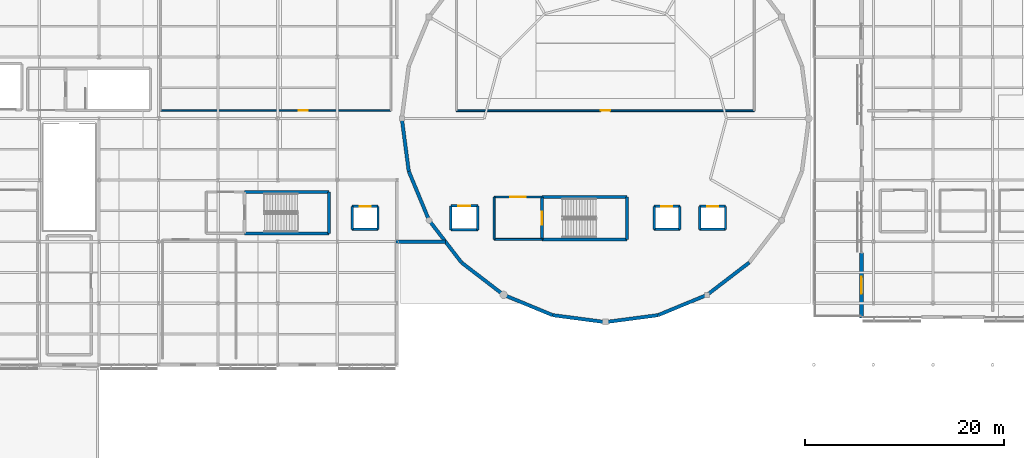
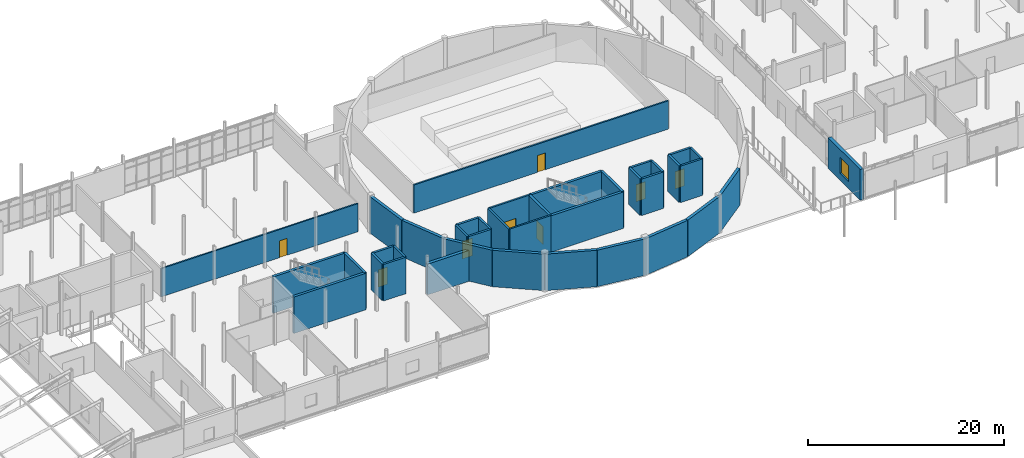
# One storey, part 58 of 84: 39 walls, 8 doors, 1 window, 9 openings.
"""IFC4 building model written with IfcOpenShell, lengths in metres."""

from ifc_helpers import new_model, si_unit, direction, frame, frame_2d, origin, place, context, subcontext, project, spatial, rectangle, extrude, material, layer, layer_set, type_object, element, fill, save


model = new_model("IFC4")

# Units and contexts
model_context = context("Model", 3, precision=1e-05, world=origin(), true_north=direction((0.0, 1.0)))
body_context = subcontext(model_context, "Body", "Model", "MODEL_VIEW")
ifc_project = project(units=[si_unit("LENGTHUNIT", "METRE"), si_unit("AREAUNIT", "SQUARE_METRE"), si_unit("VOLUMEUNIT", "CUBIC_METRE"), si_unit("PLANEANGLEUNIT", "RADIAN"), si_unit("MASSUNIT", "GRAM", prefix="KILO")], contexts=[model_context])

# Site, building, storey
site_placement = place(None, origin())
site = spatial("IfcSite", under=ifc_project, at=site_placement, CompositionType="ELEMENT")
building_placement = place(site_placement, origin())
building = spatial("IfcBuilding", under=site, at=building_placement, Name="Mirzam Square Science Centre", CompositionType="ELEMENT")
storey_placement = place(building_placement, frame((0.0, 0.0, 10.800048828125)))
storey = spatial("IfcBuildingStorey", under=building, at=storey_placement, Name="L02", CompositionType="ELEMENT", Elevation=10.800048828125)

# Walls
ifc_material_1 = material(Name="Concrete C45/55", Category="concrete")
ifc_layer_1 = layer(ifc_material_1, 0.300048828125)
ifc_layer_set_1 = layer_set([ifc_layer_1], Name="W-CORE-300")
wall_type_1 = type_object("IfcWallType", Name="W-CORE-300", PredefinedType="SHEAR", material=ifc_layer_set_1)
for number, where, z_axis, x_axis, name in (
    (1, (44.639892578125, 50.43994140625, 0.0), (0.0, 0.0, 1.0), (1.0, 0.0, 0.0), "L02 CORE-1 south wall"),
    (2, (53.159912109375, 54.610107421875, 0.0), (0.0, 0.0, 1.0), (-1.0, 0.0, 0.0), "L02 CORE-1 north wall"),
):
    element("IfcWall", number, at=place(storey_placement, frame(where, z_axis=z_axis, x_axis=x_axis)), inside=storey, type_object=wall_type_1, Name=name, PredefinedType="SHEAR", context=body_context, shape_type="SweptSolid", body=[
        extrude(rectangle(XDim=8.52001953125, YDim=0.300048828125, at=frame_2d((4.260009765625, 0.0))), origin(), (0.0, 0.0, 1.0), 4.550048828125),
    ])
wall_1_placement = place(storey_placement, frame((53.159912109375, 50.43994140625, 0.0), z_axis=(0.0, 0.0, 1.0), x_axis=(0.0, 1.0, 0.0)))
element("IfcWall", 3, at=wall_1_placement, inside=storey, type_object=wall_type_1, Name="L02 CORE-1 east wall", PredefinedType="SHEAR", context=body_context, shape_type="SweptSolid", body=[
    extrude(rectangle(XDim=4.170166015625, YDim=0.300048828125, at=frame_2d((2.0849609375, 0.0))), origin(), (0.0, 0.0, 1.0), 4.550048828125),
])
for number, where, z_axis, x_axis, name in (
    (4, (74.639892578125, 49.840087890625, 0.0), (0.0, 0.0, 1.0), (1.0, 0.0, 0.0), "L02 CORE-3 south wall"),
    (5, (83.159912109375, 54.090087890625, 0.0), (0.0, 0.0, 1.0), (-1.0, 0.0, 0.0), "L02 CORE-3 north wall"),
):
    element("IfcWall", number, at=place(storey_placement, frame(where, z_axis=z_axis, x_axis=x_axis)), inside=storey, type_object=wall_type_1, Name=name, PredefinedType="SHEAR", context=body_context, shape_type="SweptSolid", body=[
        extrude(rectangle(XDim=8.52001953125, YDim=0.300048828125, at=frame_2d((4.260009765625, 0.0))), origin(), (0.0, 0.0, 1.0), 4.550048828125),
    ])

# Wall, opening, door
wall_2_placement = place(storey_placement, frame((74.639892578125, 54.090087890625, 0.0), z_axis=(0.0, 0.0, 1.0), x_axis=(0.0, -1.0, 0.0)))
wall_2 = element("IfcWall", 6, at=wall_2_placement, inside=storey, type_object=wall_type_1, Name="L02 CORE-3 west wall", PredefinedType="SHEAR", context=body_context, shape_type="SweptSolid", body=[
    extrude(rectangle(XDim=4.25, YDim=0.300048828125, at=frame_2d((2.125, 0.0))), origin(), (0.0, 0.0, 1.0), 4.550048828125),
])
opening_1_placement = place(wall_2_placement, frame((1.449951171875, 0.0, 0.0)))
opening_1 = element("IfcOpeningElement", 7, at=opening_1_placement, cuts=wall_2, Name="Opening DS-01", PredefinedType="OPENING", context=body_context, shape_type="SweptSolid", body=[
    extrude(rectangle(XDim=1.35009765625, YDim=2.199951171875, at=frame_2d((0.675048828125, 1.10009765625))), frame((0.0, 0.159912109375, 0.0), z_axis=(0.0, -1.0, 0.0), x_axis=(1.0, 0.0, 0.0)), (0.0, 0.0, 1.0), 0.320068359375),
])
ifc_material_2 = material(Name="Fire-Rated Powder-Coated Architectural Steel Door", Category="steel")
door_type_1 = type_object("IfcDoorType", Name="DR-STAIR-1350x2200", OperationType="NOTDEFINED", PredefinedType="DOOR", material=ifc_material_2)
door_1_placement = place(opening_1_placement, origin())
door_1 = element("IfcDoor", 8, at=door_1_placement, inside=storey, type_object=door_type_1, Name="DRS-3-L02", OperationType="SINGLE_SWING_RIGHT", OverallHeight=2.199951171875, OverallWidth=1.35009765625, PredefinedType="DOOR", context=body_context, shape_type="SweptSolid", body=[
    extrude(rectangle(XDim=1.35009765625, YDim=2.199951171875, at=frame_2d((0.675048828125, 1.10009765625))), frame((0.0, 0.02490234375, 0.0), z_axis=(0.0, -1.0, 0.0), x_axis=(1.0, 0.0, 0.0)), (0.0, 0.0, 1.0), 0.050048828125),
])
fill(opening_1, door_1)

# Walls
wall_3_placement = place(storey_placement, frame((83.159912109375, 49.840087890625, 0.0), z_axis=(0.0, 0.0, 1.0), x_axis=(0.0, 1.0, 0.0)))
element("IfcWall", 9, at=wall_3_placement, inside=storey, type_object=wall_type_1, Name="L02 CORE-3 east wall", PredefinedType="SHEAR", context=body_context, shape_type="SweptSolid", body=[
    extrude(rectangle(XDim=4.25, YDim=0.300048828125, at=frame_2d((2.125, 0.0))), origin(), (0.0, 0.0, 1.0), 4.550048828125),
])
ifc_layer_2 = layer(ifc_material_1, 0.35009765625)
ifc_layer_set_2 = layer_set([ifc_layer_2], Name="W-DRUM-350")
wall_type_2 = type_object("IfcWallType", Name="W-DRUM-350", PredefinedType="SHEAR", material=ifc_layer_set_2)
wall_4_placement = place(storey_placement, frame((60.5, 62.0, 0.0), z_axis=(0.0, 0.0, 1.0), x_axis=(0.130517056518, -0.991446064069, 0.0)))
element("IfcWall", 10, at=wall_4_placement, inside=storey, type_object=wall_type_2, Name="L02 planetarium drum wall 13", PredefinedType="SHEAR", context=body_context, shape_type="SweptSolid", body=[
    extrude(rectangle(XDim=5.351806640625, YDim=0.35009765625, at=frame_2d((2.67578125, 0.0))), origin(), (0.0, 0.0, 1.0), 4.550048828125),
])
for number, where, z_axis, x_axis, name in (
    (11, (61.198486328125, 56.694091796875, 0.0), (0.0, 0.0, 1.0), (0.382713071139, -0.923867255172, 0.0), "L02 planetarium drum wall 14"),
    (12, (63.24658203125, 51.75, 0.0), (0.0, 0.0, 1.0), (0.60876670321, -0.793349293227, 0.0), "L02 planetarium drum wall 15"),
    (13, (66.50439453125, 47.50439453125, 0.0), (0.0, 0.0, 1.0), (0.793349293227, -0.60876670321, 0.0), "L02 planetarium drum wall 16"),
    (14, (70.75, 44.24658203125, 0.0), (0.0, 0.0, 1.0), (0.923867255172, -0.382713071139, 0.0), "L02 planetarium drum wall 17"),
):
    element("IfcWall", number, at=place(storey_placement, frame(where, z_axis=z_axis, x_axis=x_axis)), inside=storey, type_object=wall_type_2, Name=name, PredefinedType="SHEAR", context=body_context, shape_type="SweptSolid", body=[
        extrude(rectangle(XDim=5.3515625, YDim=0.35009765625, at=frame_2d((2.67578125, 0.0))), origin(), (0.0, 0.0, 1.0), 4.550048828125),
    ])
for number, where, z_axis, x_axis, name in (
    (15, (75.694091796875, 42.198486328125, 0.0), (0.0, 0.0, 1.0), (0.991446064069, -0.130517056518, 0.0), "L02 planetarium drum wall 18"),
    (16, (81.0, 41.5, 0.0), (0.0, 0.0, 1.0), (0.991446064069, 0.130517056518, 0.0), "L02 planetarium drum wall 19"),
):
    element("IfcWall", number, at=place(storey_placement, frame(where, z_axis=z_axis, x_axis=x_axis)), inside=storey, type_object=wall_type_2, Name=name, PredefinedType="SHEAR", context=body_context, shape_type="SweptSolid", body=[
        extrude(rectangle(XDim=5.351806640625, YDim=0.35009765625, at=frame_2d((2.67578125, 0.0))), origin(), (0.0, 0.0, 1.0), 4.550048828125),
    ])
for number, where, z_axis, x_axis, name in (
    (17, (86.305908203125, 42.198486328125, 0.0), (0.0, 0.0, 1.0), (0.923867255172, 0.382713071139, 0.0), "L02 planetarium drum wall 20"),
    (18, (91.25, 44.24658203125, 0.0), (0.0, 0.0, 1.0), (0.793349293227, 0.60876670321, 0.0), "L02 planetarium drum wall 21"),
):
    element("IfcWall", number, at=place(storey_placement, frame(where, z_axis=z_axis, x_axis=x_axis)), inside=storey, type_object=wall_type_2, Name=name, PredefinedType="SHEAR", context=body_context, shape_type="SweptSolid", body=[
        extrude(rectangle(XDim=5.3515625, YDim=0.35009765625, at=frame_2d((2.67578125, 0.0))), origin(), (0.0, 0.0, 1.0), 4.550048828125),
    ])

# Wall, opening, window
ifc_material_3 = material(Name="Insulated Sand-Toned GFRC Concrete C40/50", Category="concrete")
ifc_layer_3 = layer(ifc_material_3, 0.385009765625)
ifc_layer_set_3 = layer_set([ifc_layer_3], Name="W-EXT-GFRC-385")
wall_type_3 = type_object("IfcWallType", Name="W-EXT-GFRC-385", PredefinedType="SOLIDWALL", material=ifc_layer_set_3)
wall_5_placement = place(storey_placement, frame((106.800048828125, 48.47509765625, 0.0), z_axis=(0.0, 0.0, 1.0), x_axis=(0.0, -1.0, 0.0)))
wall_5 = element("IfcWall", 19, at=wall_5_placement, inside=storey, type_object=wall_type_3, Name="L02 external wall EW-EST-W-L02-07", PredefinedType="SOLIDWALL", context=body_context, shape_type="SweptSolid", body=[
    extrude(rectangle(XDim=6.550048828125, YDim=0.385009765625, at=frame_2d((3.27490234375, 0.0))), origin(), (0.0, 0.0, 1.0), 3.83984375),
])
opening_2_placement = place(wall_5_placement, frame((2.425048828125, 0.0, 0.89990234375)))
opening_2 = element("IfcOpeningElement", 20, at=opening_2_placement, cuts=wall_5, Name="Opening W-38", PredefinedType="OPENING", context=body_context, shape_type="SweptSolid", body=[
    extrude(rectangle(XDim=1.699951171875, YDim=1.949951171875, at=frame_2d((0.85009765625, 0.97509765625))), frame((0.0, 0.202392578125, 0.0), z_axis=(0.0, -1.0, 0.0), x_axis=(1.0, 0.0, 0.0)), (0.0, 0.0, 1.0), 0.405029296875),
])
ifc_material_4 = material(Name="Thermally Broken Bronze Aluminium and Low-E Glass", Category="aluminium")
window_type = type_object("IfcWindowType", Name="WIN-1700x1950", PartitioningType="SINGLE_PANEL", PredefinedType="WINDOW", material=ifc_material_4)
window_placement = place(opening_2_placement, origin())
window = element("IfcWindow", 21, at=window_placement, inside=storey, type_object=window_type, Name="L02 solar window 082", OverallHeight=1.949951171875, OverallWidth=1.699951171875, PartitioningType="SINGLE_PANEL", PredefinedType="WINDOW", context=body_context, shape_type="SweptSolid", body=[
    extrude(rectangle(XDim=1.699951171875, YDim=1.949951171875, at=frame_2d((0.85009765625, 0.97509765625))), frame((0.0, 0.030029296875, 0.0), z_axis=(0.0, -1.0, 0.0), x_axis=(1.0, 0.0, 0.0)), (0.0, 0.0, 1.0), 0.06005859375),
])
fill(opening_2, window)

# Walls
ifc_material_5 = material(Name="Standing-Seam Zinc-Clad Concrete Backup C40/50", Category="concrete")
ifc_layer_4 = layer(ifc_material_5, 0.35009765625)
ifc_layer_set_4 = layer_set([ifc_layer_4], Name="W-EXT-METAL-350")
wall_type_4 = type_object("IfcWallType", Name="W-EXT-METAL-350", PredefinedType="SOLIDWALL", material=ifc_layer_set_4)
wall_6_placement = place(storey_placement, frame((59.925048828125, 49.60009765625, 0.0), z_axis=(0.0, 0.0, 1.0), x_axis=(1.0, 0.0, 0.0)))
element("IfcWall", 22, at=wall_6_placement, inside=storey, type_object=wall_type_4, Name="L02 external wall EW-WDG-E-S2-L02", PredefinedType="SOLIDWALL", context=body_context, shape_type="SweptSolid", body=[
    extrude(rectangle(XDim=4.949951171875, YDim=0.35009765625, at=frame_2d((2.47509765625, 0.0))), origin(), (0.0, 0.0, 1.0), 3.83984375),
])
ifc_layer_5 = layer(ifc_material_1, 0.199951171875)
ifc_layer_set_5 = layer_set([ifc_layer_5], Name="W-LOBBY-200")
wall_type_5 = type_object("IfcWallType", Name="W-LOBBY-200", PredefinedType="SHEAR", material=ifc_layer_set_5)
wall_7_placement = place(storey_placement, frame((69.800048828125, 49.840087890625, 0.0), z_axis=(0.0, 0.0, 1.0), x_axis=(1.0, 0.0, 0.0)))
element("IfcWall", 23, at=wall_7_placement, inside=storey, type_object=wall_type_5, Name="L02 CORE-3 lobby south wall", PredefinedType="SHEAR", context=body_context, shape_type="SweptSolid", body=[
    extrude(rectangle(XDim=4.83984375, YDim=0.199951171875, at=frame_2d((2.419921875, 0.0))), origin(), (0.0, 0.0, 1.0), 4.550048828125),
])

# Wall, opening, door
wall_8_placement = place(storey_placement, frame((74.639892578125, 54.090087890625, 0.0), z_axis=(0.0, 0.0, 1.0), x_axis=(-1.0, 0.0, 0.0)))
wall_8 = element("IfcWall", 24, at=wall_8_placement, inside=storey, type_object=wall_type_5, Name="L02 CORE-3 lobby north wall", PredefinedType="SHEAR", context=body_context, shape_type="SweptSolid", body=[
    extrude(rectangle(XDim=4.83984375, YDim=0.199951171875, at=frame_2d((2.419921875, 0.0))), origin(), (0.0, 0.0, 1.0), 4.550048828125),
])
opening_3_placement = place(wall_8_placement, frame((1.64501953125, 0.0, 0.0)))
opening_3 = element("IfcOpeningElement", 25, at=opening_3_placement, cuts=wall_8, Name="Opening DL-01", PredefinedType="OPENING", context=body_context, shape_type="SweptSolid", body=[
    extrude(rectangle(XDim=1.550048828125, YDim=2.199951171875, at=frame_2d((0.77490234375, 1.10009765625))), frame((0.0, 0.10986328125, 0.0), z_axis=(0.0, -1.0, 0.0), x_axis=(1.0, 0.0, 0.0)), (0.0, 0.0, 1.0), 0.219970703125),
])
ifc_material_6 = material(Name="Fire-Rated Glazed Architectural Steel Lobby Door", Category="steel")
door_type_2 = type_object("IfcDoorType", Name="DR-LOBBY-1550x2200", OperationType="DOUBLE_DOOR_SINGLE_SWING", PredefinedType="DOOR", material=ifc_material_6)
door_2_placement = place(opening_3_placement, origin())
door_2 = element("IfcDoor", 26, at=door_2_placement, inside=storey, type_object=door_type_2, Name="DRL-3-L02", OperationType="SINGLE_SWING_LEFT", OverallHeight=2.199951171875, OverallWidth=1.550048828125, PredefinedType="DOOR", context=body_context, shape_type="SweptSolid", body=[
    extrude(rectangle(XDim=1.550048828125, YDim=2.199951171875, at=frame_2d((0.77490234375, 1.10009765625))), frame((0.0, 0.02490234375, 0.0), z_axis=(0.0, -1.0, 0.0), x_axis=(1.0, 0.0, 0.0)), (0.0, 0.0, 1.0), 0.050048828125),
])
fill(opening_3, door_2)

# Wall
wall_9_placement = place(storey_placement, frame((69.800048828125, 54.090087890625, 0.0), z_axis=(0.0, 0.0, 1.0), x_axis=(0.0, -1.0, 0.0)))
element("IfcWall", 27, at=wall_9_placement, inside=storey, type_object=wall_type_5, Name="L02 CORE-3 lobby west wall", PredefinedType="SHEAR", context=body_context, shape_type="SweptSolid", body=[
    extrude(rectangle(XDim=4.25, YDim=0.199951171875, at=frame_2d((2.125, 0.0))), origin(), (0.0, 0.0, 1.0), 4.550048828125),
])

# Wall, opening, door
ifc_material_7 = material(Name="Wet-Area Moisture-Resistant Partition", Category="gypsum")
ifc_layer_6 = layer(ifc_material_7, 0.1650390625)
ifc_layer_set_6 = layer_set([ifc_layer_6], Name="W-PART-165")
wall_type_6 = type_object("IfcWallType", Name="W-PART-165", PredefinedType="PARTITIONING", material=ifc_layer_set_6)
wall_10_placement = place(storey_placement, frame((59.39990234375, 62.800048828125, 0.0), z_axis=(0.0, 0.0, 1.0), x_axis=(-1.0, 0.0, 0.0)))
wall_10 = element("IfcWall", 28, at=wall_10_placement, inside=storey, type_object=wall_type_6, Name="L02 Earth and Planetary Geology Exhibition Hall 4 partition 176", PredefinedType="PARTITIONING", context=body_context, shape_type="SweptSolid", body=[
    extrude(rectangle(XDim=23.199951171875, YDim=0.1650390625, at=frame_2d((11.60009765625, 0.0))), origin(), (0.0, 0.0, 1.0), 3.52001953125),
])
opening_4_placement = place(wall_10_placement, frame((8.365966796875, 0.0, 0.0)))
opening_4 = element("IfcOpeningElement", 29, at=opening_4_placement, cuts=wall_10, Name="Opening D-01", PredefinedType="OPENING", context=body_context, shape_type="SweptSolid", body=[
    extrude(rectangle(XDim=0.89990234375, YDim=2.10009765625, at=frame_2d((0.449951171875, 1.050048828125))), frame((0.0, 0.092529296875, 0.0), z_axis=(0.0, -1.0, 0.0), x_axis=(1.0, 0.0, 0.0)), (0.0, 0.0, 1.0), 0.18505859375),
])
ifc_material_8 = material(Name="Solid Core Acoustic Oak Timber Door", Category="wood")
door_type_3 = type_object("IfcDoorType", Name="DR-INT-900x2100", OperationType="NOTDEFINED", PredefinedType="DOOR", material=ifc_material_8)
door_3_placement = place(opening_4_placement, origin())
door_3 = element("IfcDoor", 30, at=door_3_placement, inside=storey, type_object=door_type_3, Name="ID-L02-0048", OperationType="SINGLE_SWING_LEFT", OverallHeight=2.10009765625, OverallWidth=0.89990234375, PredefinedType="DOOR", context=body_context, shape_type="SweptSolid", body=[
    extrude(rectangle(XDim=0.89990234375, YDim=2.10009765625, at=frame_2d((0.449951171875, 1.050048828125))), frame((0.0, 0.02490234375, 0.0), z_axis=(0.0, -1.0, 0.0), x_axis=(1.0, 0.0, 0.0)), (0.0, 0.0, 1.0), 0.050048828125),
])
fill(opening_4, door_3)

ifc_material_9 = material(Name="Workshop Acoustic Masonry Partition", Category="masonry")
ifc_layer_7 = layer(ifc_material_9, 0.179931640625)
ifc_layer_set_7 = layer_set([ifc_layer_7], Name="W-PART-180")
wall_type_7 = type_object("IfcWallType", Name="W-PART-180", PredefinedType="PARTITIONING", material=ifc_layer_set_7)
wall_11_placement = place(storey_placement, frame((96.0, 62.800048828125, 0.0), z_axis=(0.0, 0.0, 1.0), x_axis=(-1.0, 0.0, 0.0)))
wall_11 = element("IfcWall", 31, at=wall_11_placement, inside=storey, type_object=wall_type_7, Name="L02 Planetarium Dome Chamber partition 180", PredefinedType="PARTITIONING", context=body_context, shape_type="SweptSolid", body=[
    extrude(rectangle(XDim=30.0, YDim=0.179931640625, at=frame_2d((15.0, 0.0))), origin(), (0.0, 0.0, 1.0), 3.52001953125),
])
opening_5_placement = place(wall_11_placement, frame((14.52490234375, 0.0, 0.0)))
opening_5 = element("IfcOpeningElement", 32, at=opening_5_placement, cuts=wall_11, Name="Opening D-02", PredefinedType="OPENING", context=body_context, shape_type="SweptSolid", body=[
    extrude(rectangle(XDim=0.949951171875, YDim=2.10009765625, at=frame_2d((0.47509765625, 1.050048828125))), frame((0.0, 0.099853515625, 0.0), z_axis=(0.0, -1.0, 0.0), x_axis=(1.0, 0.0, 0.0)), (0.0, 0.0, 1.0), 0.199951171875),
])
door_type_4 = type_object("IfcDoorType", Name="DR-INT-950x2100", OperationType="NOTDEFINED", PredefinedType="DOOR", material=ifc_material_8)
door_4_placement = place(opening_5_placement, origin())
door_4 = element("IfcDoor", 33, at=door_4_placement, inside=storey, type_object=door_type_4, Name="ID-L02-0049", OperationType="SINGLE_SWING_RIGHT", OverallHeight=2.10009765625, OverallWidth=0.949951171875, PredefinedType="DOOR", context=body_context, shape_type="SweptSolid", body=[
    extrude(rectangle(XDim=0.949951171875, YDim=2.10009765625, at=frame_2d((0.47509765625, 1.050048828125))), frame((0.0, 0.02490234375, 0.0), z_axis=(0.0, -1.0, 0.0), x_axis=(1.0, 0.0, 0.0)), (0.0, 0.0, 1.0), 0.050048828125),
])
fill(opening_5, door_4)

# Wall
ifc_layer_8 = layer(ifc_material_1, 0.25)
ifc_layer_set_8 = layer_set([ifc_layer_8], Name="W-SHAFT-250")
wall_type_8 = type_object("IfcWallType", Name="W-SHAFT-250", PredefinedType="SHEAR", material=ifc_layer_set_8)
wall_12_placement = place(storey_placement, frame((85.89990234375, 50.85009765625, 0.0), z_axis=(0.0, 0.0, 1.0), x_axis=(1.0, 0.0, 0.0)))
element("IfcWall", 34, at=wall_12_placement, inside=storey, type_object=wall_type_8, Name="L02 lift LP-01 shaft wall S", PredefinedType="SHEAR", context=body_context, shape_type="SweptSolid", body=[
    extrude(rectangle(XDim=2.60009765625, YDim=0.25, at=frame_2d((1.300048828125, 0.0))), origin(), (0.0, 0.0, 1.0), 4.550048828125),
])

# Wall, opening, door
wall_13_placement = place(storey_placement, frame((88.5, 53.14990234375, 0.0), z_axis=(0.0, 0.0, 1.0), x_axis=(-1.0, 0.0, 0.0)))
wall_13 = element("IfcWall", 35, at=wall_13_placement, inside=storey, type_object=wall_type_8, Name="L02 lift LP-01 shaft wall N", PredefinedType="SHEAR", context=body_context, shape_type="SweptSolid", body=[
    extrude(rectangle(XDim=2.60009765625, YDim=0.25, at=frame_2d((1.300048828125, 0.0))), origin(), (0.0, 0.0, 1.0), 4.550048828125),
])
opening_6_placement = place(wall_13_placement, frame((0.75, 0.0, 0.0)))
opening_6 = element("IfcOpeningElement", 36, at=opening_6_placement, cuts=wall_13, Name="Opening LD-01", PredefinedType="OPENING", context=body_context, shape_type="SweptSolid", body=[
    extrude(rectangle(XDim=1.10009765625, YDim=2.14990234375, at=frame_2d((0.550048828125, 1.074951171875))), frame((0.0, 0.135009765625, 0.0), z_axis=(0.0, -1.0, 0.0), x_axis=(1.0, 0.0, 0.0)), (0.0, 0.0, 1.0), 0.27001953125),
])
ifc_material_10 = material(Name="Brushed Stainless Steel 316L Sliding Lift Door", Category="steel")
door_type_5 = type_object("IfcDoorType", Name="LD-PASS-1100x2150", OperationType="DOUBLE_DOOR_SLIDING", PredefinedType="DOOR", material=ifc_material_10)
door_5_placement = place(opening_6_placement, origin())
door_5 = element("IfcDoor", 37, at=door_5_placement, inside=storey, type_object=door_type_5, Name="LD-LP-01-L02", OperationType="DOUBLE_DOOR_SLIDING", OverallHeight=2.14990234375, OverallWidth=1.10009765625, PredefinedType="DOOR", context=body_context, shape_type="SweptSolid", body=[
    extrude(rectangle(XDim=1.10009765625, YDim=2.14990234375, at=frame_2d((0.550048828125, 1.074951171875))), frame((0.0, 0.02490234375, 0.0), z_axis=(0.0, -1.0, 0.0), x_axis=(1.0, 0.0, 0.0)), (0.0, 0.0, 1.0), 0.050048828125),
])
fill(opening_6, door_5)

# Walls
for number, where, z_axis, x_axis, name in (
    (38, (85.89990234375, 53.14990234375, 0.0), (0.0, 0.0, 1.0), (0.0, -1.0, 0.0), "L02 lift LP-01 shaft wall W"),
    (39, (88.5, 50.85009765625, 0.0), (0.0, 0.0, 1.0), (0.0, 1.0, 0.0), "L02 lift LP-01 shaft wall E"),
):
    element("IfcWall", number, at=place(storey_placement, frame(where, z_axis=z_axis, x_axis=x_axis)), inside=storey, type_object=wall_type_8, Name=name, PredefinedType="SHEAR", context=body_context, shape_type="SweptSolid", body=[
        extrude(rectangle(XDim=2.2998046875, YDim=0.25, at=frame_2d((1.14990234375, 0.0))), origin(), (0.0, 0.0, 1.0), 4.550048828125),
    ])
wall_14_placement = place(storey_placement, frame((90.5, 50.85009765625, 0.0), z_axis=(0.0, 0.0, 1.0), x_axis=(1.0, 0.0, 0.0)))
element("IfcWall", 40, at=wall_14_placement, inside=storey, type_object=wall_type_8, Name="L02 lift LP-02 shaft wall S", PredefinedType="SHEAR", context=body_context, shape_type="SweptSolid", body=[
    extrude(rectangle(XDim=2.60009765625, YDim=0.25, at=frame_2d((1.300048828125, 0.0))), origin(), (0.0, 0.0, 1.0), 4.550048828125),
])

# Wall, opening, door
wall_15_placement = place(storey_placement, frame((93.10009765625, 53.14990234375, 0.0), z_axis=(0.0, 0.0, 1.0), x_axis=(-1.0, 0.0, 0.0)))
wall_15 = element("IfcWall", 41, at=wall_15_placement, inside=storey, type_object=wall_type_8, Name="L02 lift LP-02 shaft wall N", PredefinedType="SHEAR", context=body_context, shape_type="SweptSolid", body=[
    extrude(rectangle(XDim=2.60009765625, YDim=0.25, at=frame_2d((1.300048828125, 0.0))), origin(), (0.0, 0.0, 1.0), 4.550048828125),
])
opening_7_placement = place(wall_15_placement, frame((0.75, 0.0, 0.0)))
opening_7 = element("IfcOpeningElement", 42, at=opening_7_placement, cuts=wall_15, Name="Opening LD-01", PredefinedType="OPENING", context=body_context, shape_type="SweptSolid", body=[
    extrude(rectangle(XDim=1.10009765625, YDim=2.14990234375, at=frame_2d((0.550048828125, 1.074951171875))), frame((0.0, 0.135009765625, 0.0), z_axis=(0.0, -1.0, 0.0), x_axis=(1.0, 0.0, 0.0)), (0.0, 0.0, 1.0), 0.27001953125),
])
door_6_placement = place(opening_7_placement, origin())
door_6 = element("IfcDoor", 43, at=door_6_placement, inside=storey, type_object=door_type_5, Name="LD-LP-02-L02", OperationType="DOUBLE_DOOR_SLIDING", OverallHeight=2.14990234375, OverallWidth=1.10009765625, PredefinedType="DOOR", context=body_context, shape_type="SweptSolid", body=[
    extrude(rectangle(XDim=1.10009765625, YDim=2.14990234375, at=frame_2d((0.550048828125, 1.074951171875))), frame((0.0, 0.02490234375, 0.0), z_axis=(0.0, -1.0, 0.0), x_axis=(1.0, 0.0, 0.0)), (0.0, 0.0, 1.0), 0.050048828125),
])
fill(opening_7, door_6)

# Walls
for number, where, z_axis, x_axis, name in (
    (44, (90.5, 53.14990234375, 0.0), (0.0, 0.0, 1.0), (0.0, -1.0, 0.0), "L02 lift LP-02 shaft wall W"),
    (45, (93.10009765625, 50.85009765625, 0.0), (0.0, 0.0, 1.0), (0.0, 1.0, 0.0), "L02 lift LP-02 shaft wall E"),
):
    element("IfcWall", number, at=place(storey_placement, frame(where, z_axis=z_axis, x_axis=x_axis)), inside=storey, type_object=wall_type_8, Name=name, PredefinedType="SHEAR", context=body_context, shape_type="SweptSolid", body=[
        extrude(rectangle(XDim=2.2998046875, YDim=0.25, at=frame_2d((1.14990234375, 0.0))), origin(), (0.0, 0.0, 1.0), 4.550048828125),
    ])
wall_16_placement = place(storey_placement, frame((55.5, 50.85009765625, 0.0), z_axis=(0.0, 0.0, 1.0), x_axis=(1.0, 0.0, 0.0)))
element("IfcWall", 46, at=wall_16_placement, inside=storey, type_object=wall_type_8, Name="L02 lift LP-04 shaft wall S", PredefinedType="SHEAR", context=body_context, shape_type="SweptSolid", body=[
    extrude(rectangle(XDim=2.60009765625, YDim=0.25, at=frame_2d((1.300048828125, 0.0))), origin(), (0.0, 0.0, 1.0), 4.550048828125),
])

# Wall, opening, door
wall_17_placement = place(storey_placement, frame((58.10009765625, 53.14990234375, 0.0), z_axis=(0.0, 0.0, 1.0), x_axis=(-1.0, 0.0, 0.0)))
wall_17 = element("IfcWall", 47, at=wall_17_placement, inside=storey, type_object=wall_type_8, Name="L02 lift LP-04 shaft wall N", PredefinedType="SHEAR", context=body_context, shape_type="SweptSolid", body=[
    extrude(rectangle(XDim=2.60009765625, YDim=0.25, at=frame_2d((1.300048828125, 0.0))), origin(), (0.0, 0.0, 1.0), 4.550048828125),
])
opening_8_placement = place(wall_17_placement, frame((0.75, 0.0, 0.0)))
opening_8 = element("IfcOpeningElement", 48, at=opening_8_placement, cuts=wall_17, Name="Opening LD-01", PredefinedType="OPENING", context=body_context, shape_type="SweptSolid", body=[
    extrude(rectangle(XDim=1.10009765625, YDim=2.14990234375, at=frame_2d((0.550048828125, 1.074951171875))), frame((0.0, 0.135009765625, 0.0), z_axis=(0.0, -1.0, 0.0), x_axis=(1.0, 0.0, 0.0)), (0.0, 0.0, 1.0), 0.27001953125),
])
door_7_placement = place(opening_8_placement, origin())
door_7 = element("IfcDoor", 49, at=door_7_placement, inside=storey, type_object=door_type_5, Name="LD-LP-04-L02", OperationType="DOUBLE_DOOR_SLIDING", OverallHeight=2.14990234375, OverallWidth=1.10009765625, PredefinedType="DOOR", context=body_context, shape_type="SweptSolid", body=[
    extrude(rectangle(XDim=1.10009765625, YDim=2.14990234375, at=frame_2d((0.550048828125, 1.074951171875))), frame((0.0, 0.02490234375, 0.0), z_axis=(0.0, -1.0, 0.0), x_axis=(1.0, 0.0, 0.0)), (0.0, 0.0, 1.0), 0.050048828125),
])
fill(opening_8, door_7)

# Walls
for number, where, z_axis, x_axis, name in (
    (50, (55.5, 53.14990234375, 0.0), (0.0, 0.0, 1.0), (0.0, -1.0, 0.0), "L02 lift LP-04 shaft wall W"),
    (51, (58.10009765625, 50.85009765625, 0.0), (0.0, 0.0, 1.0), (0.0, 1.0, 0.0), "L02 lift LP-04 shaft wall E"),
):
    element("IfcWall", number, at=place(storey_placement, frame(where, z_axis=z_axis, x_axis=x_axis)), inside=storey, type_object=wall_type_8, Name=name, PredefinedType="SHEAR", context=body_context, shape_type="SweptSolid", body=[
        extrude(rectangle(XDim=2.2998046875, YDim=0.25, at=frame_2d((1.14990234375, 0.0))), origin(), (0.0, 0.0, 1.0), 4.550048828125),
    ])
wall_18_placement = place(storey_placement, frame((65.449951171875, 50.800048828125, 0.0), z_axis=(0.0, 0.0, 1.0), x_axis=(1.0, 0.0, 0.0)))
element("IfcWall", 52, at=wall_18_placement, inside=storey, type_object=wall_type_8, Name="L02 lift LF-01 shaft wall S", PredefinedType="SHEAR", context=body_context, shape_type="SweptSolid", body=[
    extrude(rectangle(XDim=2.699951171875, YDim=0.25, at=frame_2d((1.35009765625, 0.0))), origin(), (0.0, 0.0, 1.0), 4.550048828125),
])

# Wall, opening, door
wall_19_placement = place(storey_placement, frame((68.14990234375, 53.199951171875, 0.0), z_axis=(0.0, 0.0, 1.0), x_axis=(-1.0, 0.0, 0.0)))
wall_19 = element("IfcWall", 53, at=wall_19_placement, inside=storey, type_object=wall_type_8, Name="L02 lift LF-01 shaft wall N", PredefinedType="SHEAR", context=body_context, shape_type="SweptSolid", body=[
    extrude(rectangle(XDim=2.699951171875, YDim=0.25, at=frame_2d((1.35009765625, 0.0))), origin(), (0.0, 0.0, 1.0), 4.550048828125),
])
opening_9_placement = place(wall_19_placement, frame((0.75, 0.0, 0.0)))
opening_9 = element("IfcOpeningElement", 54, at=opening_9_placement, cuts=wall_19, Name="Opening LD-02", PredefinedType="OPENING", context=body_context, shape_type="SweptSolid", body=[
    extrude(rectangle(XDim=1.199951171875, YDim=2.199951171875, at=frame_2d((0.60009765625, 1.10009765625))), frame((0.0, 0.135009765625, 0.0), z_axis=(0.0, -1.0, 0.0), x_axis=(1.0, 0.0, 0.0)), (0.0, 0.0, 1.0), 0.27001953125),
])
ifc_material_11 = material(Name="Firefighting Brushed Stainless Steel 316L Sliding Door", Category="steel")
door_type_6 = type_object("IfcDoorType", Name="LD-FIRE-1200x2200", OperationType="DOUBLE_DOOR_SLIDING", PredefinedType="DOOR", material=ifc_material_11)
door_8_placement = place(opening_9_placement, origin())
door_8 = element("IfcDoor", 55, at=door_8_placement, inside=storey, type_object=door_type_6, Name="LD-LF-01-L02", OperationType="DOUBLE_DOOR_SLIDING", OverallHeight=2.199951171875, OverallWidth=1.199951171875, PredefinedType="DOOR", context=body_context, shape_type="SweptSolid", body=[
    extrude(rectangle(XDim=1.199951171875, YDim=2.199951171875, at=frame_2d((0.60009765625, 1.10009765625))), frame((0.0, 0.02490234375, 0.0), z_axis=(0.0, -1.0, 0.0), x_axis=(1.0, 0.0, 0.0)), (0.0, 0.0, 1.0), 0.050048828125),
])
fill(opening_9, door_8)

# Walls
for number, where, z_axis, x_axis, name in (
    (56, (65.449951171875, 53.199951171875, 0.0), (0.0, 0.0, 1.0), (0.0, -1.0, 0.0), "L02 lift LF-01 shaft wall W"),
    (57, (68.14990234375, 50.800048828125, 0.0), (0.0, 0.0, 1.0), (0.0, 1.0, 0.0), "L02 lift LF-01 shaft wall E"),
):
    element("IfcWall", number, at=place(storey_placement, frame(where, z_axis=z_axis, x_axis=x_axis)), inside=storey, type_object=wall_type_8, Name=name, PredefinedType="SHEAR", context=body_context, shape_type="SweptSolid", body=[
        extrude(rectangle(XDim=2.39990234375, YDim=0.25, at=frame_2d((1.199951171875, 0.0))), origin(), (0.0, 0.0, 1.0), 4.550048828125),
    ])

save(model, "model.ifc")
